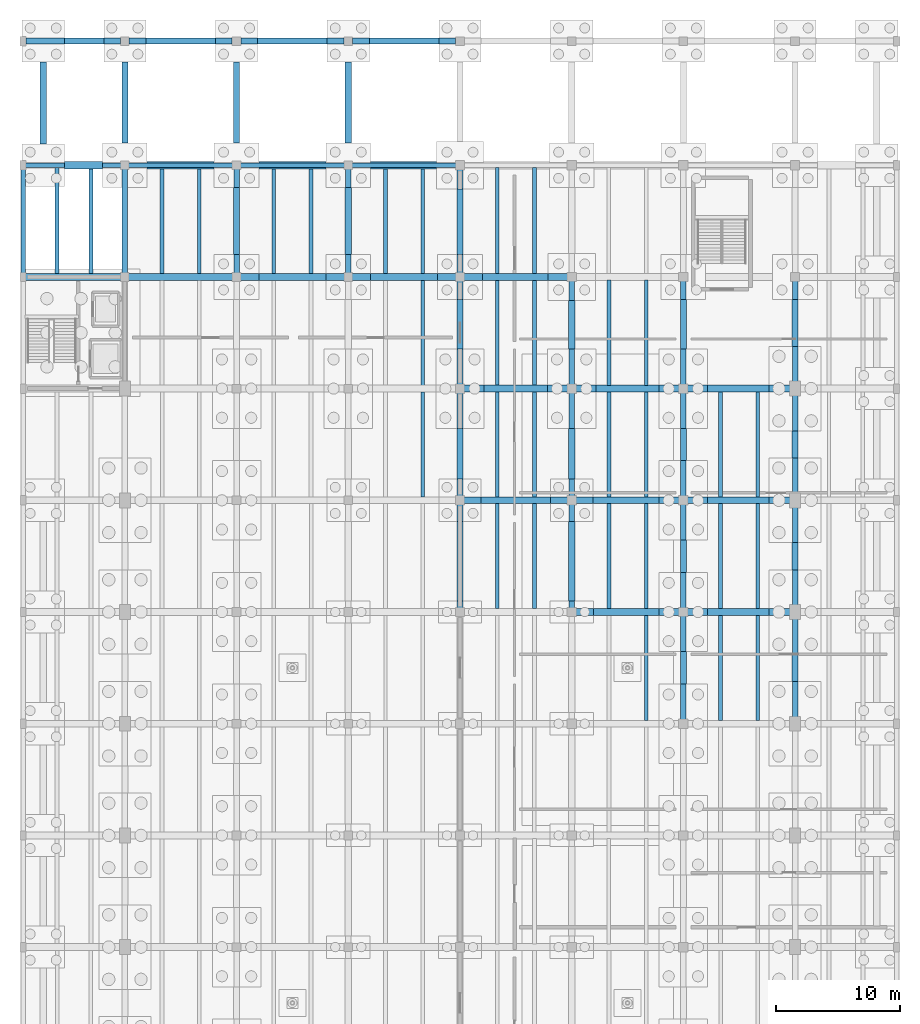
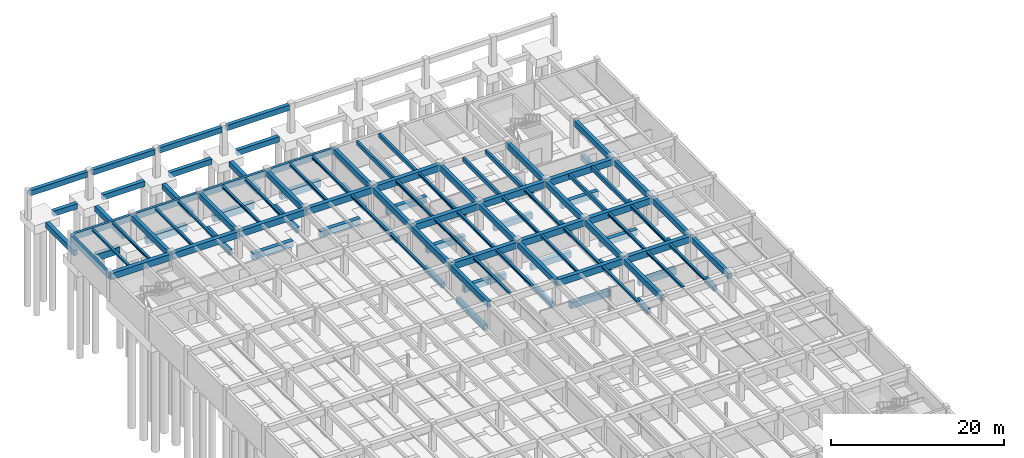
# One storey, part 15 of 23: 111 beams.
"""IFC4 building model written with IfcOpenShell, lengths in metres."""

from ifc_helpers import new_model, si_unit, direction, frame, origin, origin_2d, place, context, subcontext, project, spatial, rectangle, i_section, extrude, material, material_profile, profile_set, type_object, element, save


model = new_model("IFC4")

# Units and contexts
model_context = context("Model", 3, precision=1e-05, world=origin(), true_north=direction((0.0, 1.0)))
body_context = subcontext(model_context, "Body", "Model", "MODEL_VIEW")
ifc_project = project(units=[si_unit("LENGTHUNIT", "METRE"), si_unit("AREAUNIT", "SQUARE_METRE"), si_unit("VOLUMEUNIT", "CUBIC_METRE"), si_unit("PLANEANGLEUNIT", "RADIAN"), si_unit("MASSUNIT", "GRAM", prefix="KILO")], contexts=[model_context])

# Site, building, storey
site_placement = place(None, origin())
site = spatial("IfcSite", under=ifc_project, at=site_placement, CompositionType="ELEMENT")
building_placement = place(site_placement, origin())
building = spatial("IfcBuilding", under=site, at=building_placement, Name="Ornek Quay Market", CompositionType="ELEMENT")
storey_placement = place(building_placement, frame((0.0, 0.0, -4.199951171875)))
storey = spatial("IfcBuildingStorey", under=building, at=storey_placement, Name="B1", CompositionType="ELEMENT", Elevation=-4.199951171875)

# Beams
ifc_material_1 = material(Name="Concrete C35/45", Category="concrete")
ifc_material_profile_1 = material_profile(ifc_material_1, rectangle(XDim=0.449951171875, YDim=0.800048828125, at=origin_2d()), Name="RC 450x800", Category="concrete")
ifc_profile_set_1 = profile_set([ifc_material_profile_1], Name="Concrete C35/45")
beam_type_1 = type_object("IfcBeamType", Name="BM-B1-450x800", PredefinedType="BEAM", material=ifc_profile_set_1)
for number, where, z_axis, x_axis, name in (
    (1, (63.0, 101.0, 3.4599609375), (0.0, 1.0, 0.0), (-1.0, 0.0, 0.0), "Primary beam B-B1B-023"),
    (2, (72.0, 101.0, 3.4599609375), (0.0, 1.0, 0.0), (-1.0, 0.0, 0.0), "Primary beam B-B1B-032"),
    (3, (81.0, 101.0, 3.4599609375), (0.0, 1.0, 0.0), (-1.0, 0.0, 0.0), "Primary beam B-B1B-041"),
    (4, (90.0, 74.0, 3.4599609375), (0.0, 1.0, 0.0), (-1.0, 0.0, 0.0), "Primary beam B-B1B-047"),
    (5, (90.0, 83.0, 3.4599609375), (0.0, 1.0, 0.0), (-1.0, 0.0, 0.0), "Primary beam B-B1B-048"),
    (6, (90.0, 92.0, 3.4599609375), (0.0, 1.0, 0.0), (-1.0, 0.0, 0.0), "Primary beam B-B1B-049"),
    (7, (90.0, 101.0, 3.4599609375), (0.0, 1.0, 0.0), (-1.0, 0.0, 0.0), "Primary beam B-B1B-050"),
    (8, (99.0, 74.0, 3.4599609375), (0.0, 1.0, 0.0), (-1.0, 0.0, 0.0), "Primary beam B-B1B-056"),
    (9, (99.0, 83.0, 3.4599609375), (0.0, 1.0, 0.0), (-1.0, 0.0, 0.0), "Primary beam B-B1B-057"),
    (10, (99.0, 92.0, 3.4599609375), (0.0, 1.0, 0.0), (-1.0, 0.0, 0.0), "Primary beam B-B1B-058"),
    (11, (108.0, 65.0, 3.4599609375), (0.0, 1.0, 0.0), (-1.0, 0.0, 0.0), "Primary beam B-B1B-064"),
    (12, (108.0, 74.0, 3.4599609375), (0.0, 1.0, 0.0), (-1.0, 0.0, 0.0), "Primary beam B-B1B-065"),
    (13, (108.0, 83.0, 3.4599609375), (0.0, 1.0, 0.0), (-1.0, 0.0, 0.0), "Primary beam B-B1B-066"),
    (14, (108.0, 92.0, 3.4599609375), (0.0, 1.0, 0.0), (-1.0, 0.0, 0.0), "Primary beam B-B1B-067"),
    (15, (117.0, 65.0, 3.4599609375), (0.0, 1.0, 0.0), (-1.0, 0.0, 0.0), "Primary beam B-B1B-073"),
    (16, (117.0, 74.0, 3.4599609375), (0.0, 1.0, 0.0), (-1.0, 0.0, 0.0), "Primary beam B-B1B-074"),
    (17, (117.0, 83.0, 3.4599609375), (0.0, 1.0, 0.0), (-1.0, 0.0, 0.0), "Primary beam B-B1B-075"),
    (18, (117.0, 92.0, 3.4599609375), (0.0, 1.0, 0.0), (-1.0, 0.0, 0.0), "Primary beam B-B1B-076"),
):
    element("IfcBeam", number, at=place(storey_placement, frame(where, z_axis=z_axis, x_axis=x_axis)), inside=storey, type_object=beam_type_1, Name=name, PredefinedType="BEAM", context=body_context, shape_type="SweptSolid", body=[
        extrude(rectangle(XDim=0.449951171875, YDim=0.800048828125, at=origin_2d()), origin(), (0.0, 0.0, 1.0), 9.0),
    ])
ifc_material_2 = material(Name="Concrete C40/50", Category="concrete")
ifc_material_profile_2 = material_profile(ifc_material_2, rectangle(XDim=0.550048828125, YDim=0.89990234375, at=origin_2d()), Name="RC 550x900", Category="concrete")
ifc_profile_set_2 = profile_set([ifc_material_profile_2], Name="Concrete C40/50")
beam_type_2 = type_object("IfcBeamType", Name="BM-B1-550x900", PredefinedType="BEAM", material=ifc_profile_set_2)
for number, where, z_axis, x_axis, name in (
    (19, (99.0, 74.0, 3.409912109375), (1.0, 0.0, 0.0), (0.0, 1.0, 0.0), "Primary beam B-B1A-046"),
    (20, (108.0, 74.0, 3.409912109375), (1.0, 0.0, 0.0), (0.0, 1.0, 0.0), "Primary beam B-B1A-047"),
    (21, (90.0, 83.0, 3.409912109375), (1.0, 0.0, 0.0), (0.0, 1.0, 0.0), "Primary beam B-B1A-053"),
    (22, (99.0, 83.0, 3.409912109375), (1.0, 0.0, 0.0), (0.0, 1.0, 0.0), "Primary beam B-B1A-054"),
    (23, (108.0, 83.0, 3.409912109375), (1.0, 0.0, 0.0), (0.0, 1.0, 0.0), "Primary beam B-B1A-055"),
    (24, (90.0, 92.0, 3.409912109375), (1.0, 0.0, 0.0), (0.0, 1.0, 0.0), "Primary beam B-B1A-061"),
    (25, (99.0, 92.0, 3.409912109375), (1.0, 0.0, 0.0), (0.0, 1.0, 0.0), "Primary beam B-B1A-062"),
    (26, (108.0, 92.0, 3.409912109375), (1.0, 0.0, 0.0), (0.0, 1.0, 0.0), "Primary beam B-B1A-063"),
):
    element("IfcBeam", number, at=place(storey_placement, frame(where, z_axis=z_axis, x_axis=x_axis)), inside=storey, type_object=beam_type_2, Name=name, PredefinedType="BEAM", context=body_context, shape_type="SweptSolid", body=[
        extrude(rectangle(XDim=0.550048828125, YDim=0.89990234375, at=origin_2d()), origin(), (0.0, 0.0, 1.0), 9.0),
    ])
beam_1_placement = place(storey_placement, frame((54.800048828125, 101.0, 3.409912109375), z_axis=(1.0, 0.0, 0.0), x_axis=(0.0, 1.0, 0.0)))
element("IfcBeam", 27, at=beam_1_placement, inside=storey, type_object=beam_type_2, Name="Primary beam B-B1A-065", PredefinedType="BEAM", context=body_context, shape_type="SweptSolid", body=[
    extrude(rectangle(XDim=0.550048828125, YDim=0.89990234375, at=origin_2d()), origin(), (0.0, 0.0, 1.0), 8.199951171875),
])
for number, where, z_axis, x_axis, name in (
    (28, (63.0, 101.0, 3.409912109375), (1.0, 0.0, 0.0), (0.0, 1.0, 0.0), "Primary beam B-B1A-066"),
    (29, (72.0, 101.0, 3.409912109375), (1.0, 0.0, 0.0), (0.0, 1.0, 0.0), "Primary beam B-B1A-067"),
    (30, (81.0, 101.0, 3.409912109375), (1.0, 0.0, 0.0), (0.0, 1.0, 0.0), "Primary beam B-B1A-068"),
    (31, (90.0, 101.0, 3.409912109375), (1.0, 0.0, 0.0), (0.0, 1.0, 0.0), "Primary beam B-B1A-069"),
):
    element("IfcBeam", number, at=place(storey_placement, frame(where, z_axis=z_axis, x_axis=x_axis)), inside=storey, type_object=beam_type_2, Name=name, PredefinedType="BEAM", context=body_context, shape_type="SweptSolid", body=[
        extrude(rectangle(XDim=0.550048828125, YDim=0.89990234375, at=origin_2d()), origin(), (0.0, 0.0, 1.0), 9.0),
    ])
ifc_material_profile_3 = material_profile(ifc_material_1, rectangle(XDim=0.5, YDim=0.75, at=origin_2d()), Name="RC 500x750", Category="concrete")
ifc_profile_set_3 = profile_set([ifc_material_profile_3], Name="Concrete C35/45")
beam_type_3 = type_object("IfcBeamType", Name="BM-GB-500x750", PredefinedType="BEAM", material=ifc_profile_set_3)
beam_2_placement = place(storey_placement, frame((58.1201171875, 120.0, -0.375), z_axis=(1.0, 0.0, 0.0), x_axis=(0.0, 1.0, 0.0)))
element("IfcBeam", 32, at=beam_2_placement, inside=storey, type_object=beam_type_3, Name="Ground tie beam GB-202", PredefinedType="BEAM", context=body_context, shape_type="SweptSolid", body=[
    extrude(rectangle(XDim=0.5, YDim=0.75, at=origin_2d()), origin(), (0.0, 0.0, 1.0), 3.179931640625),
])
for number, where, z_axis, x_axis, name in (
    (33, (64.699951171875, 120.0, -0.375), (1.0, 0.0, 0.0), (0.0, 1.0, 0.0), "Ground tie beam GB-203"),
    (34, (73.699951171875, 120.0, -0.375), (1.0, 0.0, 0.0), (0.0, 1.0, 0.0), "Ground tie beam GB-204"),
    (35, (82.699951171875, 120.0, -0.375), (1.0, 0.0, 0.0), (0.0, 1.0, 0.0), "Ground tie beam GB-205"),
):
    element("IfcBeam", number, at=place(storey_placement, frame(where, z_axis=z_axis, x_axis=x_axis)), inside=storey, type_object=beam_type_3, Name=name, PredefinedType="BEAM", context=body_context, shape_type="SweptSolid", body=[
        extrude(rectangle(XDim=0.5, YDim=0.75, at=origin_2d()), origin(), (0.0, 0.0, 1.0), 5.60009765625),
    ])
beam_3_placement = place(storey_placement, frame((56.419921875, 111.699951171875, -0.375), z_axis=(0.0, 1.0, 0.0), x_axis=(-1.0, 0.0, 0.0)))
element("IfcBeam", 36, at=beam_3_placement, inside=storey, type_object=beam_type_3, Name="Ground tie beam GB-218", PredefinedType="BEAM", context=body_context, shape_type="SweptSolid", body=[
    extrude(rectangle(XDim=0.5, YDim=0.75, at=origin_2d()), origin(), (0.0, 0.0, 1.0), 6.60009765625),
])
beam_4_placement = place(storey_placement, frame((63.0, 111.800048828125, -0.375), z_axis=(0.0, 1.0, 0.0), x_axis=(-1.0, 0.0, 0.0)))
element("IfcBeam", 37, at=beam_4_placement, inside=storey, type_object=beam_type_3, Name="Ground tie beam GB-227", PredefinedType="BEAM", context=body_context, shape_type="SweptSolid", body=[
    extrude(rectangle(XDim=0.5, YDim=0.75, at=origin_2d()), origin(), (0.0, 0.0, 1.0), 6.5),
])
beam_5_placement = place(storey_placement, frame((72.0, 102.800048828125, -0.375), z_axis=(0.0, 1.0, 0.0), x_axis=(-1.0, 0.0, 0.0)))
element("IfcBeam", 38, at=beam_5_placement, inside=storey, type_object=beam_type_3, Name="Ground tie beam GB-238", PredefinedType="BEAM", context=body_context, shape_type="SweptSolid", body=[
    extrude(rectangle(XDim=0.5, YDim=0.75, at=origin_2d()), origin(), (0.0, 0.0, 1.0), 5.39990234375),
])
beam_6_placement = place(storey_placement, frame((72.0, 111.800048828125, -0.375), z_axis=(0.0, 1.0, 0.0), x_axis=(-1.0, 0.0, 0.0)))
element("IfcBeam", 39, at=beam_6_placement, inside=storey, type_object=beam_type_3, Name="Ground tie beam GB-239", PredefinedType="BEAM", context=body_context, shape_type="SweptSolid", body=[
    extrude(rectangle(XDim=0.5, YDim=0.75, at=origin_2d()), origin(), (0.0, 0.0, 1.0), 6.5),
])
beam_7_placement = place(storey_placement, frame((81.0, 102.800048828125, -0.375), z_axis=(0.0, 1.0, 0.0), x_axis=(-1.0, 0.0, 0.0)))
element("IfcBeam", 40, at=beam_7_placement, inside=storey, type_object=beam_type_3, Name="Ground tie beam GB-250", PredefinedType="BEAM", context=body_context, shape_type="SweptSolid", body=[
    extrude(rectangle(XDim=0.5, YDim=0.75, at=origin_2d()), origin(), (0.0, 0.0, 1.0), 5.39990234375),
])
beam_8_placement = place(storey_placement, frame((81.0, 111.800048828125, -0.375), z_axis=(0.0, 1.0, 0.0), x_axis=(-1.0, 0.0, 0.0)))
element("IfcBeam", 41, at=beam_8_placement, inside=storey, type_object=beam_type_3, Name="Ground tie beam GB-251", PredefinedType="BEAM", context=body_context, shape_type="SweptSolid", body=[
    extrude(rectangle(XDim=0.5, YDim=0.75, at=origin_2d()), origin(), (0.0, 0.0, 1.0), 6.5),
])
beam_9_placement = place(storey_placement, frame((90.0, 74.89990234375, -0.375), z_axis=(0.0, 1.0, 0.0), x_axis=(-1.0, 0.0, 0.0)))
element("IfcBeam", 42, at=beam_9_placement, inside=storey, type_object=beam_type_3, Name="Ground tie beam GB-259", PredefinedType="BEAM", context=body_context, shape_type="SweptSolid", body=[
    extrude(rectangle(XDim=0.5, YDim=0.75, at=origin_2d()), origin(), (0.0, 0.0, 1.0), 6.400146484375),
])
beam_10_placement = place(storey_placement, frame((90.0, 84.699951171875, -0.375), z_axis=(0.0, 1.0, 0.0), x_axis=(-1.0, 0.0, 0.0)))
element("IfcBeam", 43, at=beam_10_placement, inside=storey, type_object=beam_type_3, Name="Ground tie beam GB-260", PredefinedType="BEAM", context=body_context, shape_type="SweptSolid", body=[
    extrude(rectangle(XDim=0.5, YDim=0.75, at=origin_2d()), origin(), (0.0, 0.0, 1.0), 4.10009765625),
])
beam_11_placement = place(storey_placement, frame((90.0, 95.199951171875, -0.375), z_axis=(0.0, 1.0, 0.0), x_axis=(-1.0, 0.0, 0.0)))
element("IfcBeam", 44, at=beam_11_placement, inside=storey, type_object=beam_type_3, Name="Ground tie beam GB-261", PredefinedType="BEAM", context=body_context, shape_type="SweptSolid", body=[
    extrude(rectangle(XDim=0.5, YDim=0.75, at=origin_2d()), origin(), (0.0, 0.0, 1.0), 4.0),
])
beam_12_placement = place(storey_placement, frame((90.0, 102.800048828125, -0.375), z_axis=(0.0, 1.0, 0.0), x_axis=(-1.0, 0.0, 0.0)))
element("IfcBeam", 45, at=beam_12_placement, inside=storey, type_object=beam_type_3, Name="Ground tie beam GB-262", PredefinedType="BEAM", context=body_context, shape_type="SweptSolid", body=[
    extrude(rectangle(XDim=0.5, YDim=0.75, at=origin_2d()), origin(), (0.0, 0.0, 1.0), 5.300048828125),
])
beam_13_placement = place(storey_placement, frame((99.0, 74.89990234375, -0.375), z_axis=(0.0, 1.0, 0.0), x_axis=(-1.0, 0.0, 0.0)))
element("IfcBeam", 46, at=beam_13_placement, inside=storey, type_object=beam_type_3, Name="Ground tie beam GB-271", PredefinedType="BEAM", context=body_context, shape_type="SweptSolid", body=[
    extrude(rectangle(XDim=0.5, YDim=0.75, at=origin_2d()), origin(), (0.0, 0.0, 1.0), 6.400146484375),
])
beam_14_placement = place(storey_placement, frame((99.0, 84.699951171875, -0.375), z_axis=(0.0, 1.0, 0.0), x_axis=(-1.0, 0.0, 0.0)))
element("IfcBeam", 47, at=beam_14_placement, inside=storey, type_object=beam_type_3, Name="Ground tie beam GB-272", PredefinedType="BEAM", context=body_context, shape_type="SweptSolid", body=[
    extrude(rectangle(XDim=0.5, YDim=0.75, at=origin_2d()), origin(), (0.0, 0.0, 1.0), 4.10009765625),
])
beam_15_placement = place(storey_placement, frame((99.0, 95.199951171875, -0.375), z_axis=(0.0, 1.0, 0.0), x_axis=(-1.0, 0.0, 0.0)))
element("IfcBeam", 48, at=beam_15_placement, inside=storey, type_object=beam_type_3, Name="Ground tie beam GB-273", PredefinedType="BEAM", context=body_context, shape_type="SweptSolid", body=[
    extrude(rectangle(XDim=0.5, YDim=0.75, at=origin_2d()), origin(), (0.0, 0.0, 1.0), 3.900146484375),
])
for number, where, z_axis, x_axis, name in (
    (49, (108.0, 68.199951171875, -0.375), (0.0, 1.0, 0.0), (-1.0, 0.0, 0.0), "Ground tie beam GB-282"),
    (50, (108.0, 77.199951171875, -0.375), (0.0, 1.0, 0.0), (-1.0, 0.0, 0.0), "Ground tie beam GB-283"),
    (51, (108.0, 86.199951171875, -0.375), (0.0, 1.0, 0.0), (-1.0, 0.0, 0.0), "Ground tie beam GB-284"),
):
    element("IfcBeam", number, at=place(storey_placement, frame(where, z_axis=z_axis, x_axis=x_axis)), inside=storey, type_object=beam_type_3, Name=name, PredefinedType="BEAM", context=body_context, shape_type="SweptSolid", body=[
        extrude(rectangle(XDim=0.5, YDim=0.75, at=origin_2d()), origin(), (0.0, 0.0, 1.0), 2.60009765625),
    ])
beam_16_placement = place(storey_placement, frame((108.0, 95.199951171875, -0.375), z_axis=(0.0, 1.0, 0.0), x_axis=(-1.0, 0.0, 0.0)))
element("IfcBeam", 52, at=beam_16_placement, inside=storey, type_object=beam_type_3, Name="Ground tie beam GB-285", PredefinedType="BEAM", context=body_context, shape_type="SweptSolid", body=[
    extrude(rectangle(XDim=0.5, YDim=0.75, at=origin_2d()), origin(), (0.0, 0.0, 1.0), 4.0),
])
for number, where, z_axis, x_axis, name in (
    (53, (117.0, 68.39990234375, -0.375), (0.0, 1.0, 0.0), (-1.0, 0.0, 0.0), "Ground tie beam GB-291"),
    (54, (117.0, 77.39990234375, -0.375), (0.0, 1.0, 0.0), (-1.0, 0.0, 0.0), "Ground tie beam GB-292"),
    (55, (117.0, 86.39990234375, -0.375), (0.0, 1.0, 0.0), (-1.0, 0.0, 0.0), "Ground tie beam GB-293"),
):
    element("IfcBeam", number, at=place(storey_placement, frame(where, z_axis=z_axis, x_axis=x_axis)), inside=storey, type_object=beam_type_3, Name=name, PredefinedType="BEAM", context=body_context, shape_type="SweptSolid", body=[
        extrude(rectangle(XDim=0.5, YDim=0.75, at=origin_2d()), origin(), (0.0, 0.0, 1.0), 2.2001953125),
    ])
beam_17_placement = place(storey_placement, frame((117.0, 95.39990234375, -0.375), z_axis=(0.0, 1.0, 0.0), x_axis=(-1.0, 0.0, 0.0)))
element("IfcBeam", 56, at=beam_17_placement, inside=storey, type_object=beam_type_3, Name="Ground tie beam GB-294", PredefinedType="BEAM", context=body_context, shape_type="SweptSolid", body=[
    extrude(rectangle(XDim=0.5, YDim=0.75, at=origin_2d()), origin(), (0.0, 0.0, 1.0), 3.800048828125),
])
beam_18_placement = place(storey_placement, frame((55.050048828125, 120.0, 3.625), z_axis=(1.0, 0.0, 0.0), x_axis=(0.0, 1.0, 0.0)))
element("IfcBeam", 57, at=beam_18_placement, inside=storey, type_object=beam_type_3, Name="Quay edge grade beam GB-426", PredefinedType="BEAM", context=body_context, shape_type="SweptSolid", body=[
    extrude(rectangle(XDim=0.5, YDim=0.75, at=origin_2d()), origin(), (0.0, 0.0, 1.0), 7.599853515625),
])
for number, where, z_axis, x_axis, name in (
    (58, (63.35009765625, 120.0, 3.625), (1.0, 0.0, 0.0), (0.0, 1.0, 0.0), "Quay edge grade beam GB-427"),
    (59, (72.35009765625, 120.0, 3.625), (1.0, 0.0, 0.0), (0.0, 1.0, 0.0), "Quay edge grade beam GB-428"),
    (60, (81.35009765625, 120.0, 3.625), (1.0, 0.0, 0.0), (0.0, 1.0, 0.0), "Quay edge grade beam GB-429"),
):
    element("IfcBeam", number, at=place(storey_placement, frame(where, z_axis=z_axis, x_axis=x_axis)), inside=storey, type_object=beam_type_3, Name=name, PredefinedType="BEAM", context=body_context, shape_type="SweptSolid", body=[
        extrude(rectangle(XDim=0.5, YDim=0.75, at=origin_2d()), origin(), (0.0, 0.0, 1.0), 8.2998046875),
    ])
ifc_material_profile_4 = material_profile(ifc_material_1, rectangle(XDim=0.550048828125, YDim=0.85009765625, at=origin_2d()), Name="RC 550x850", Category="concrete")
ifc_profile_set_4 = profile_set([ifc_material_profile_4], Name="Concrete C35/45")
beam_type_4 = type_object("IfcBeamType", Name="BM-GB-550x850", PredefinedType="BEAM", material=ifc_profile_set_4)
beam_19_placement = place(storey_placement, frame((100.75, 74.0, -0.425048828125), z_axis=(1.0, 0.0, 0.0), x_axis=(0.0, 1.0, 0.0)))
element("IfcBeam", 61, at=beam_19_placement, inside=storey, type_object=beam_type_4, Name="Ground tie beam GB-171", PredefinedType="BEAM", context=body_context, shape_type="SweptSolid", body=[
    extrude(rectangle(XDim=0.550048828125, YDim=0.85009765625, at=origin_2d()), origin(), (0.0, 0.0, 1.0), 5.300048828125),
])
beam_20_placement = place(storey_placement, frame((109.949951171875, 74.0, -0.425048828125), z_axis=(1.0, 0.0, 0.0), x_axis=(0.0, 1.0, 0.0)))
element("IfcBeam", 62, at=beam_20_placement, inside=storey, type_object=beam_type_4, Name="Ground tie beam GB-172", PredefinedType="BEAM", context=body_context, shape_type="SweptSolid", body=[
    extrude(rectangle(XDim=0.550048828125, YDim=0.85009765625, at=origin_2d()), origin(), (0.0, 0.0, 1.0), 4.949951171875),
])
beam_21_placement = place(storey_placement, frame((91.699951171875, 83.0, -0.425048828125), z_axis=(1.0, 0.0, 0.0), x_axis=(0.0, 1.0, 0.0)))
element("IfcBeam", 63, at=beam_21_placement, inside=storey, type_object=beam_type_4, Name="Ground tie beam GB-178", PredefinedType="BEAM", context=body_context, shape_type="SweptSolid", body=[
    extrude(rectangle(XDim=0.550048828125, YDim=0.85009765625, at=origin_2d()), origin(), (0.0, 0.0, 1.0), 5.60009765625),
])
beam_22_placement = place(storey_placement, frame((100.699951171875, 83.0, -0.425048828125), z_axis=(1.0, 0.0, 0.0), x_axis=(0.0, 1.0, 0.0)))
element("IfcBeam", 64, at=beam_22_placement, inside=storey, type_object=beam_type_4, Name="Ground tie beam GB-179", PredefinedType="BEAM", context=body_context, shape_type="SweptSolid", body=[
    extrude(rectangle(XDim=0.550048828125, YDim=0.85009765625, at=origin_2d()), origin(), (0.0, 0.0, 1.0), 5.35009765625),
])
beam_23_placement = place(storey_placement, frame((109.949951171875, 83.0, -0.425048828125), z_axis=(1.0, 0.0, 0.0), x_axis=(0.0, 1.0, 0.0)))
element("IfcBeam", 65, at=beam_23_placement, inside=storey, type_object=beam_type_4, Name="Ground tie beam GB-180", PredefinedType="BEAM", context=body_context, shape_type="SweptSolid", body=[
    extrude(rectangle(XDim=0.550048828125, YDim=0.85009765625, at=origin_2d()), origin(), (0.0, 0.0, 1.0), 4.949951171875),
])
for number, where, z_axis, x_axis, name in (
    (66, (91.949951171875, 92.0, -0.425048828125), (1.0, 0.0, 0.0), (0.0, 1.0, 0.0), "Ground tie beam GB-184"),
    (67, (100.949951171875, 92.0, -0.425048828125), (1.0, 0.0, 0.0), (0.0, 1.0, 0.0), "Ground tie beam GB-185"),
):
    element("IfcBeam", number, at=place(storey_placement, frame(where, z_axis=z_axis, x_axis=x_axis)), inside=storey, type_object=beam_type_4, Name=name, PredefinedType="BEAM", context=body_context, shape_type="SweptSolid", body=[
        extrude(rectangle(XDim=0.550048828125, YDim=0.85009765625, at=origin_2d()), origin(), (0.0, 0.0, 1.0), 5.10009765625),
    ])
beam_24_placement = place(storey_placement, frame((109.949951171875, 92.0, -0.425048828125), z_axis=(1.0, 0.0, 0.0), x_axis=(0.0, 1.0, 0.0)))
element("IfcBeam", 68, at=beam_24_placement, inside=storey, type_object=beam_type_4, Name="Ground tie beam GB-186", PredefinedType="BEAM", context=body_context, shape_type="SweptSolid", body=[
    extrude(rectangle(XDim=0.550048828125, YDim=0.85009765625, at=origin_2d()), origin(), (0.0, 0.0, 1.0), 4.949951171875),
])
for number, where, z_axis, x_axis, name in (
    (69, (73.800048828125, 101.0, -0.425048828125), (1.0, 0.0, 0.0), (0.0, 1.0, 0.0), "Ground tie beam GB-188"),
    (70, (82.800048828125, 101.0, -0.425048828125), (1.0, 0.0, 0.0), (0.0, 1.0, 0.0), "Ground tie beam GB-189"),
):
    element("IfcBeam", number, at=place(storey_placement, frame(where, z_axis=z_axis, x_axis=x_axis)), inside=storey, type_object=beam_type_4, Name=name, PredefinedType="BEAM", context=body_context, shape_type="SweptSolid", body=[
        extrude(rectangle(XDim=0.550048828125, YDim=0.85009765625, at=origin_2d()), origin(), (0.0, 0.0, 1.0), 5.39990234375),
    ])
beam_25_placement = place(storey_placement, frame((91.800048828125, 101.0, -0.425048828125), z_axis=(1.0, 0.0, 0.0), x_axis=(0.0, 1.0, 0.0)))
element("IfcBeam", 71, at=beam_25_placement, inside=storey, type_object=beam_type_4, Name="Ground tie beam GB-190", PredefinedType="BEAM", context=body_context, shape_type="SweptSolid", body=[
    extrude(rectangle(XDim=0.550048828125, YDim=0.85009765625, at=origin_2d()), origin(), (0.0, 0.0, 1.0), 5.300048828125),
])
ifc_material_profile_5 = material_profile(ifc_material_1, rectangle(XDim=0.60009765625, YDim=0.949951171875, at=origin_2d()), Name="RC 600x950", Category="concrete")
ifc_profile_set_5 = profile_set([ifc_material_profile_5], Name="Concrete C35/45")
beam_type_5 = type_object("IfcBeamType", Name="BM-GB-600x950", PredefinedType="BEAM", material=ifc_profile_set_5)
beam_26_placement = place(storey_placement, frame((58.1201171875, 110.0, -0.47509765625), z_axis=(1.0, 0.0, 0.0), x_axis=(0.0, 1.0, 0.0)))
element("IfcBeam", 72, at=beam_26_placement, inside=storey, type_object=beam_type_5, Name="Ground tie beam GB-194", PredefinedType="BEAM", context=body_context, shape_type="SweptSolid", body=[
    extrude(rectangle(XDim=0.60009765625, YDim=0.949951171875, at=origin_2d()), origin(), (0.0, 0.0, 1.0), 3.079833984375),
])
for number, where, z_axis, x_axis, name in (
    (73, (64.800048828125, 110.0, -0.47509765625), (1.0, 0.0, 0.0), (0.0, 1.0, 0.0), "Ground tie beam GB-195"),
    (74, (73.800048828125, 110.0, -0.47509765625), (1.0, 0.0, 0.0), (0.0, 1.0, 0.0), "Ground tie beam GB-196"),
):
    element("IfcBeam", number, at=place(storey_placement, frame(where, z_axis=z_axis, x_axis=x_axis)), inside=storey, type_object=beam_type_5, Name=name, PredefinedType="BEAM", context=body_context, shape_type="SweptSolid", body=[
        extrude(rectangle(XDim=0.60009765625, YDim=0.949951171875, at=origin_2d()), origin(), (0.0, 0.0, 1.0), 5.39990234375),
    ])
beam_27_placement = place(storey_placement, frame((82.800048828125, 110.0, -0.47509765625), z_axis=(1.0, 0.0, 0.0), x_axis=(0.0, 1.0, 0.0)))
element("IfcBeam", 75, at=beam_27_placement, inside=storey, type_object=beam_type_5, Name="Ground tie beam GB-197", PredefinedType="BEAM", context=body_context, shape_type="SweptSolid", body=[
    extrude(rectangle(XDim=0.60009765625, YDim=0.949951171875, at=origin_2d()), origin(), (0.0, 0.0, 1.0), 5.300048828125),
])
ifc_material_profile_6 = material_profile(ifc_material_1, rectangle(XDim=0.300048828125, YDim=0.550048828125, at=origin_2d()), Name="RC 300x550", Category="concrete")
ifc_profile_set_6 = profile_set([ifc_material_profile_6], Name="Concrete C35/45")
beam_type_6 = type_object("IfcBeamType", Name="BM-SEC-300x550", PredefinedType="JOIST", material=ifc_profile_set_6)
for number, where, z_axis, x_axis, name in (
    (76, (93.0, 101.26708984375, 3.5849609375), (0.0, 1.0, 0.0), (-1.0, 0.0, 0.0), "Secondary joist B-SC1-021"),
    (77, (96.0, 101.26708984375, 3.5849609375), (0.0, 1.0, 0.0), (-1.0, 0.0, 0.0), "Secondary joist B-SC1-022"),
):
    element("IfcBeam", number, at=place(storey_placement, frame(where, z_axis=z_axis, x_axis=x_axis)), inside=storey, type_object=beam_type_6, Name=name, PredefinedType="JOIST", context=body_context, shape_type="SweptSolid", body=[
        extrude(rectangle(XDim=0.300048828125, YDim=0.550048828125, at=origin_2d()), origin(), (0.0, 0.0, 1.0), 8.56591796875),
    ])
for number, where, z_axis, x_axis, name in (
    (78, (102.0, 92.26708984375, 3.5849609375), (0.0, 1.0, 0.0), (-1.0, 0.0, 0.0), "Secondary joist B-SC1-025"),
    (79, (105.0, 92.26708984375, 3.5849609375), (0.0, 1.0, 0.0), (-1.0, 0.0, 0.0), "Secondary joist B-SC1-026"),
    (80, (111.0, 83.26708984375, 3.5849609375), (0.0, 1.0, 0.0), (-1.0, 0.0, 0.0), "Secondary joist B-SC1-029"),
    (81, (114.0, 83.26708984375, 3.5849609375), (0.0, 1.0, 0.0), (-1.0, 0.0, 0.0), "Secondary joist B-SC1-030"),
):
    element("IfcBeam", number, at=place(storey_placement, frame(where, z_axis=z_axis, x_axis=x_axis)), inside=storey, type_object=beam_type_6, Name=name, PredefinedType="JOIST", context=body_context, shape_type="SweptSolid", body=[
        extrude(rectangle(XDim=0.300048828125, YDim=0.550048828125, at=origin_2d()), origin(), (0.0, 0.0, 1.0), 8.4658203125),
    ])
ifc_material_profile_7 = material_profile(ifc_material_2, rectangle(XDim=0.35009765625, YDim=0.85009765625, at=origin_2d()), Name="RC 350x850", Category="concrete")
ifc_profile_set_7 = profile_set([ifc_material_profile_7], Name="Concrete C40/50")
beam_type_7 = type_object("IfcBeamType", Name="BM-SPN-350x850", PredefinedType="SPANDREL", material=ifc_profile_set_7)
beam_28_placement = place(storey_placement, frame((54.800048828125, 110.0, 3.43505859375), z_axis=(1.0, 0.0, 0.0), x_axis=(0.0, 1.0, 0.0)))
element("IfcBeam", 82, at=beam_28_placement, inside=storey, type_object=beam_type_7, Name="Primary beam B-SP1-021", PredefinedType="SPANDREL", context=body_context, shape_type="SweptSolid", body=[
    extrude(rectangle(XDim=0.35009765625, YDim=0.85009765625, at=origin_2d()), origin(), (0.0, 0.0, 1.0), 8.199951171875),
])
for number, where, z_axis, x_axis, name in (
    (83, (63.0, 110.0, 3.43505859375), (1.0, 0.0, 0.0), (0.0, 1.0, 0.0), "Primary beam B-SP1-022"),
    (84, (72.0, 110.0, 3.43505859375), (1.0, 0.0, 0.0), (0.0, 1.0, 0.0), "Primary beam B-SP1-023"),
    (85, (81.0, 110.0, 3.43505859375), (1.0, 0.0, 0.0), (0.0, 1.0, 0.0), "Primary beam B-SP1-024"),
    (86, (54.800048828125, 101.0, 3.43505859375), (0.0, 1.0, 0.0), (-1.0, 0.0, 0.0), "Primary beam B-SP1-037"),
):
    element("IfcBeam", number, at=place(storey_placement, frame(where, z_axis=z_axis, x_axis=x_axis)), inside=storey, type_object=beam_type_7, Name=name, PredefinedType="SPANDREL", context=body_context, shape_type="SweptSolid", body=[
        extrude(rectangle(XDim=0.35009765625, YDim=0.85009765625, at=origin_2d()), origin(), (0.0, 0.0, 1.0), 9.0),
    ])
ifc_material_3 = material(Name="Steel S355", Category="steel")
ifc_material_profile_8 = material_profile(ifc_material_3, i_section(OverallWidth=0.300048828125, OverallDepth=0.2900390625, WebThickness=0.008544921875, FlangeThickness=0.013916015625, FilletRadius=0.027099609375, at=origin_2d()), Name="HEA 300", Category="steel")
ifc_profile_set_8 = profile_set([ifc_material_profile_8], Name="Steel S355")
beam_type_8 = type_object("IfcBeamType", Name="BM-STL-HEA300", PredefinedType="BEAM", material=ifc_profile_set_8)
for number, where, z_axis, x_axis, name in (
    (87, (57.533203125, 101.26708984375, 3.71484375), (0.0, 1.0, 0.0), (-1.0, 0.0, 0.0), "Secondary joist SB-17-003"),
    (88, (60.2666015625, 101.26708984375, 3.71484375), (0.0, 1.0, 0.0), (-1.0, 0.0, 0.0), "Secondary joist SB-17-004"),
):
    element("IfcBeam", number, at=place(storey_placement, frame(where, z_axis=z_axis, x_axis=x_axis)), inside=storey, type_object=beam_type_8, Name=name, PredefinedType="BEAM", context=body_context, shape_type="SweptSolid", body=[
        extrude(i_section(OverallWidth=0.300048828125, OverallDepth=0.2900390625, WebThickness=0.008544921875, FlangeThickness=0.013916015625, FilletRadius=0.027099609375, at=origin_2d()), origin(), (0.0, 0.0, 1.0), 8.56591796875),
    ])
ifc_material_profile_9 = material_profile(ifc_material_3, i_section(OverallWidth=0.300048828125, OverallDepth=0.31005859375, WebThickness=0.009033203125, FlangeThickness=0.015380859375, FilletRadius=0.027099609375, at=origin_2d()), Name="HEA 320", Category="steel")
ifc_profile_set_9 = profile_set([ifc_material_profile_9], Name="Steel S355")
beam_type_9 = type_object("IfcBeamType", Name="BM-STL-HEA320", PredefinedType="BEAM", material=ifc_profile_set_9)
for number, where, z_axis, x_axis, name in (
    (89, (66.0, 101.26708984375, 3.704833984375), (0.0, 1.0, 0.0), (-1.0, 0.0, 0.0), "Secondary joist SB-18-005"),
    (90, (69.0, 101.26708984375, 3.704833984375), (0.0, 1.0, 0.0), (-1.0, 0.0, 0.0), "Secondary joist SB-18-006"),
):
    element("IfcBeam", number, at=place(storey_placement, frame(where, z_axis=z_axis, x_axis=x_axis)), inside=storey, type_object=beam_type_9, Name=name, PredefinedType="BEAM", context=body_context, shape_type="SweptSolid", body=[
        extrude(i_section(OverallWidth=0.300048828125, OverallDepth=0.31005859375, WebThickness=0.009033203125, FlangeThickness=0.015380859375, FilletRadius=0.027099609375, at=origin_2d()), origin(), (0.0, 0.0, 1.0), 8.56591796875),
    ])
for number, where, z_axis, x_axis, name in (
    (91, (87.0, 83.26708984375, 3.704833984375), (0.0, 1.0, 0.0), (-1.0, 0.0, 0.0), "Secondary joist SB-18-014"),
    (92, (93.0, 74.26708984375, 3.704833984375), (0.0, 1.0, 0.0), (-1.0, 0.0, 0.0), "Secondary joist SB-18-015"),
    (93, (96.0, 74.26708984375, 3.704833984375), (0.0, 1.0, 0.0), (-1.0, 0.0, 0.0), "Secondary joist SB-18-016"),
    (94, (105.0, 65.26708984375, 3.704833984375), (0.0, 1.0, 0.0), (-1.0, 0.0, 0.0), "Secondary joist SB-18-018"),
):
    element("IfcBeam", number, at=place(storey_placement, frame(where, z_axis=z_axis, x_axis=x_axis)), inside=storey, type_object=beam_type_9, Name=name, PredefinedType="BEAM", context=body_context, shape_type="SweptSolid", body=[
        extrude(i_section(OverallWidth=0.300048828125, OverallDepth=0.31005859375, WebThickness=0.009033203125, FlangeThickness=0.015380859375, FilletRadius=0.027099609375, at=origin_2d()), origin(), (0.0, 0.0, 1.0), 8.4658203125),
    ])
ifc_material_profile_10 = material_profile(ifc_material_3, i_section(OverallWidth=0.300048828125, OverallDepth=0.35009765625, WebThickness=0.010009765625, FlangeThickness=0.017578125, FilletRadius=0.027099609375, at=origin_2d()), Name="HEA 360", Category="steel")
ifc_profile_set_10 = profile_set([ifc_material_profile_10], Name="Steel S355")
beam_type_10 = type_object("IfcBeamType", Name="BM-STL-HEA360", PredefinedType="BEAM", material=ifc_profile_set_10)
for number, where, z_axis, x_axis, name in (
    (95, (75.0, 101.26708984375, 3.68505859375), (0.0, 1.0, 0.0), (-1.0, 0.0, 0.0), "Secondary joist SB-19-007"),
    (96, (78.0, 101.26708984375, 3.68505859375), (0.0, 1.0, 0.0), (-1.0, 0.0, 0.0), "Secondary joist SB-19-008"),
):
    element("IfcBeam", number, at=place(storey_placement, frame(where, z_axis=z_axis, x_axis=x_axis)), inside=storey, type_object=beam_type_10, Name=name, PredefinedType="BEAM", context=body_context, shape_type="SweptSolid", body=[
        extrude(i_section(OverallWidth=0.300048828125, OverallDepth=0.35009765625, WebThickness=0.010009765625, FlangeThickness=0.017578125, FilletRadius=0.027099609375, at=origin_2d()), origin(), (0.0, 0.0, 1.0), 8.56591796875),
    ])
for number, where, z_axis, x_axis, name in (
    (97, (87.0, 92.26708984375, 3.68505859375), (0.0, 1.0, 0.0), (-1.0, 0.0, 0.0), "Secondary joist SB-19-012"),
    (98, (93.0, 83.26708984375, 3.68505859375), (0.0, 1.0, 0.0), (-1.0, 0.0, 0.0), "Secondary joist SB-19-015"),
    (99, (96.0, 83.26708984375, 3.68505859375), (0.0, 1.0, 0.0), (-1.0, 0.0, 0.0), "Secondary joist SB-19-016"),
    (100, (102.0, 74.26708984375, 3.68505859375), (0.0, 1.0, 0.0), (-1.0, 0.0, 0.0), "Secondary joist SB-19-017"),
    (101, (105.0, 74.26708984375, 3.68505859375), (0.0, 1.0, 0.0), (-1.0, 0.0, 0.0), "Secondary joist SB-19-018"),
    (102, (111.0, 65.26708984375, 3.68505859375), (0.0, 1.0, 0.0), (-1.0, 0.0, 0.0), "Secondary joist SB-19-019"),
    (103, (114.0, 65.26708984375, 3.68505859375), (0.0, 1.0, 0.0), (-1.0, 0.0, 0.0), "Secondary joist SB-19-020"),
):
    element("IfcBeam", number, at=place(storey_placement, frame(where, z_axis=z_axis, x_axis=x_axis)), inside=storey, type_object=beam_type_10, Name=name, PredefinedType="BEAM", context=body_context, shape_type="SweptSolid", body=[
        extrude(i_section(OverallWidth=0.300048828125, OverallDepth=0.35009765625, WebThickness=0.010009765625, FlangeThickness=0.017578125, FilletRadius=0.027099609375, at=origin_2d()), origin(), (0.0, 0.0, 1.0), 8.4658203125),
    ])
ifc_material_profile_11 = material_profile(ifc_material_3, i_section(OverallWidth=0.300048828125, OverallDepth=0.389892578125, WebThickness=0.010986328125, FlangeThickness=0.01904296875, FilletRadius=0.027099609375, at=origin_2d()), Name="HEA 400", Category="steel")
ifc_profile_set_11 = profile_set([ifc_material_profile_11], Name="Steel S355")
beam_type_11 = type_object("IfcBeamType", Name="BM-STL-HEA400", PredefinedType="BEAM", material=ifc_profile_set_11)
for number, where, z_axis, x_axis, name in (
    (104, (84.0, 101.26708984375, 3.6650390625), (0.0, 1.0, 0.0), (-1.0, 0.0, 0.0), "Secondary joist SB-20-009"),
    (105, (87.0, 101.26708984375, 3.6650390625), (0.0, 1.0, 0.0), (-1.0, 0.0, 0.0), "Secondary joist SB-20-010"),
):
    element("IfcBeam", number, at=place(storey_placement, frame(where, z_axis=z_axis, x_axis=x_axis)), inside=storey, type_object=beam_type_11, Name=name, PredefinedType="BEAM", context=body_context, shape_type="SweptSolid", body=[
        extrude(i_section(OverallWidth=0.300048828125, OverallDepth=0.389892578125, WebThickness=0.010986328125, FlangeThickness=0.01904296875, FilletRadius=0.027099609375, at=origin_2d()), origin(), (0.0, 0.0, 1.0), 8.56591796875),
    ])
for number, where, z_axis, x_axis, name in (
    (106, (93.0, 92.26708984375, 3.6650390625), (0.0, 1.0, 0.0), (-1.0, 0.0, 0.0), "Secondary joist SB-20-013"),
    (107, (96.0, 92.26708984375, 3.6650390625), (0.0, 1.0, 0.0), (-1.0, 0.0, 0.0), "Secondary joist SB-20-014"),
    (108, (102.0, 83.26708984375, 3.6650390625), (0.0, 1.0, 0.0), (-1.0, 0.0, 0.0), "Secondary joist SB-20-017"),
    (109, (105.0, 83.26708984375, 3.6650390625), (0.0, 1.0, 0.0), (-1.0, 0.0, 0.0), "Secondary joist SB-20-018"),
    (110, (111.0, 74.26708984375, 3.6650390625), (0.0, 1.0, 0.0), (-1.0, 0.0, 0.0), "Secondary joist SB-20-019"),
    (111, (114.0, 74.26708984375, 3.6650390625), (0.0, 1.0, 0.0), (-1.0, 0.0, 0.0), "Secondary joist SB-20-020"),
):
    element("IfcBeam", number, at=place(storey_placement, frame(where, z_axis=z_axis, x_axis=x_axis)), inside=storey, type_object=beam_type_11, Name=name, PredefinedType="BEAM", context=body_context, shape_type="SweptSolid", body=[
        extrude(i_section(OverallWidth=0.300048828125, OverallDepth=0.389892578125, WebThickness=0.010986328125, FlangeThickness=0.01904296875, FilletRadius=0.027099609375, at=origin_2d()), origin(), (0.0, 0.0, 1.0), 8.4658203125),
    ])

save(model, "model.ifc")
